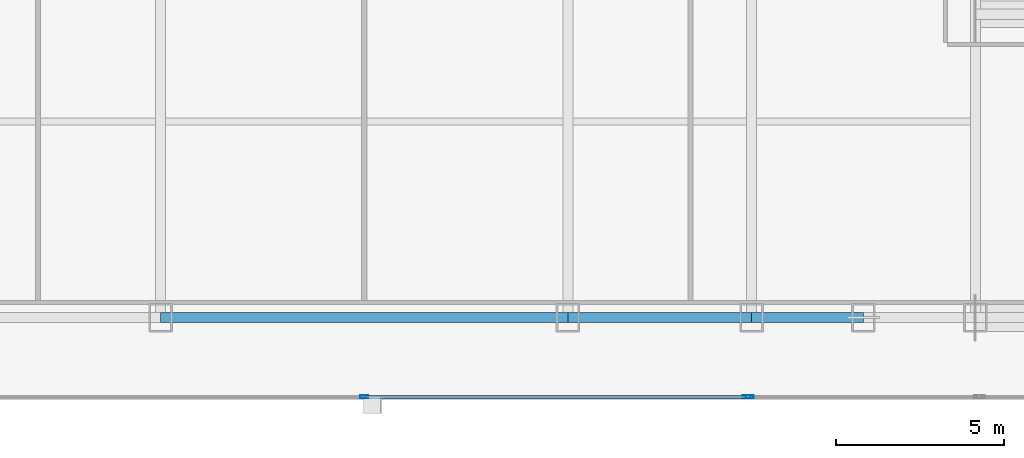
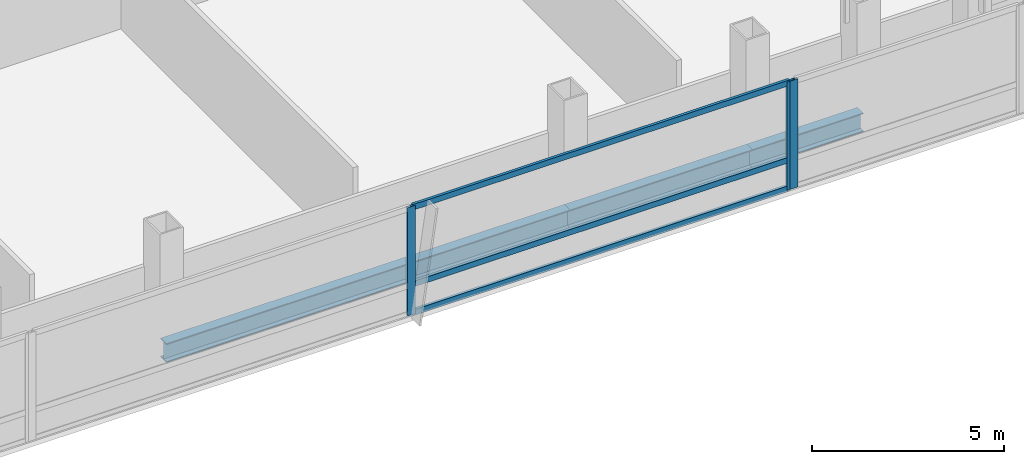
# One storey, part 12 of 30: 6 members, 3 beams, 2 elements without a shape of their own.
"""IFC4 building model written with IfcOpenShell, lengths in metres."""

from ifc_helpers import new_model, si_unit, direction, frame, origin, origin_2d, place, context, subcontext, project, spatial, hollow_rectangle, i_section, extrude, material, material_profile, profile_set, type_object, element, aggregate, save


model = new_model("IFC4")

# Units and contexts
model_context = context("Model", 3, precision=1e-05, world=origin(), true_north=direction((0.0, 1.0)))
body_context = subcontext(model_context, "Body", "Model", "MODEL_VIEW")
ifc_project = project(units=[si_unit("LENGTHUNIT", "METRE"), si_unit("AREAUNIT", "SQUARE_METRE"), si_unit("VOLUMEUNIT", "CUBIC_METRE"), si_unit("PLANEANGLEUNIT", "RADIAN"), si_unit("MASSUNIT", "GRAM", prefix="KILO")], contexts=[model_context])

# Site, building, storey
site_placement = place(None, origin())
site = spatial("IfcSite", under=ifc_project, at=site_placement, CompositionType="ELEMENT")
building_placement = place(site_placement, origin())
building = spatial("IfcBuilding", under=site, at=building_placement, Name="Khoronbel Lancet Exchange", CompositionType="ELEMENT")
storey_placement = place(building_placement, frame((0.0, 0.0, 132.60009765625)))
storey = spatial("IfcBuildingStorey", under=building, at=storey_placement, Name="L32", CompositionType="ELEMENT", Elevation=132.60009765625)

# Beams
ifc_material_1 = material(Name="Steel S355", Category="steel")
ifc_material_profile_1 = material_profile(ifc_material_1, i_section(OverallWidth=0.300048828125, OverallDepth=0.60009765625, WebThickness=0.015380859375, FlangeThickness=0.030029296875, at=origin_2d()), Name="HEB 600")
ifc_profile_set_1 = profile_set([ifc_material_profile_1], Name="Steel S355")
beam_type = type_object("IfcBeamType", Name="BM-BSP2", PredefinedType="SPANDREL", material=ifc_profile_set_1)
beam_1_placement = place(storey_placement, frame((30.375, 10.14990234375, -0.460205078125), z_axis=(1.0, 0.0, 0.0), x_axis=(0.0, 1.0, 0.0)))
element("IfcBeam", 1, at=beam_1_placement, inside=storey, type_object=beam_type, Name="Level L32 perimeter spandrel beam SP05", PredefinedType="SPANDREL", context=body_context, shape_type="SweptSolid", body=[
    extrude(i_section(OverallWidth=0.300048828125, OverallDepth=0.60009765625, WebThickness=0.015380859375, FlangeThickness=0.030029296875, at=origin_2d()), origin(), (0.0, 0.0, 1.0), 12.14990234375),
])
beam_2_placement = place(storey_placement, frame((42.52490234375, 10.14990234375, -0.460205078125), z_axis=(1.0, 0.0, 0.0), x_axis=(0.0, 1.0, 0.0)))
element("IfcBeam", 2, at=beam_2_placement, inside=storey, type_object=beam_type, Name="Level L32 perimeter spandrel beam SP06", PredefinedType="SPANDREL", context=body_context, shape_type="SweptSolid", body=[
    extrude(i_section(OverallWidth=0.300048828125, OverallDepth=0.60009765625, WebThickness=0.015380859375, FlangeThickness=0.030029296875, at=origin_2d()), origin(), (0.0, 0.0, 1.0), 5.47509765625),
])
beam_3_placement = place(storey_placement, frame((48.0, 10.14990234375, -0.460205078125), z_axis=(1.0, 0.0, 0.0), x_axis=(0.0, 1.0, 0.0)))
element("IfcBeam", 3, at=beam_3_placement, inside=storey, type_object=beam_type, Name="Level L32 perimeter spandrel beam SP07", PredefinedType="SPANDREL", context=body_context, shape_type="SweptSolid", body=[
    extrude(i_section(OverallWidth=0.300048828125, OverallDepth=0.60009765625, WebThickness=0.015380859375, FlangeThickness=0.030029296875, at=origin_2d()), origin(), (0.0, 0.0, 1.0), 3.33740234375),
])

# Curtain wall, members
ifc_material_2 = material(Name="Low-E Solar Control Insulating Glass", Category="glass")
curtain_wall_type = type_object("IfcCurtainWallType", Name="CW-2", PredefinedType="NOTDEFINED", material=ifc_material_2)
curtain_wall_1_placement = place(storey_placement, origin())
curtain_wall_1 = element("IfcCurtainWall", 4, at=curtain_wall_1_placement, inside=storey, type_object=curtain_wall_type, Name="Unitised curtain wall CW-L32-SCV", PredefinedType="NOTDEFINED")
ifc_material_3 = material(Name="Bronze-Anodised Aluminium 6063-T6", Category="aluminium")
ifc_material_profile_2 = material_profile(ifc_material_3, hollow_rectangle(XDim=0.0849609375, YDim=0.239990234375, WallThickness=0.006103515625, at=origin_2d()), Name="ALU MULLION 85x240")
ifc_profile_set_2 = profile_set([ifc_material_profile_2], Name="Bronze-Anodised Aluminium 6063-T6")
member_type_1 = type_object("IfcMemberType", Name="MEM-CWM1", PredefinedType="MULLION", material=ifc_profile_set_2)
member_1_placement = place(storey_placement, frame((36.449951171875, 7.7900390625, 0.0), z_axis=(0.0, 0.0, 1.0), x_axis=(0.0, 1.0, 0.0)))
member_1 = element("IfcMember", 5, at=member_1_placement, type_object=member_type_1, Name="CW2 mullion 2", PredefinedType="MULLION", context=body_context, shape_type="SweptSolid", body=[
    extrude(hollow_rectangle(XDim=0.0849609375, YDim=0.239990234375, WallThickness=0.006103515625, at=origin_2d()), origin(), (0.0, 0.0, 1.0), 3.43994140625),
])
member_2_placement = place(storey_placement, frame((47.857421875, 7.7900390625, 0.0), z_axis=(0.0, 0.0, 1.0), x_axis=(0.0, 1.0, 0.0)))
member_2 = element("IfcMember", 6, at=member_2_placement, type_object=member_type_1, Name="CW2 mullion 3", PredefinedType="MULLION", context=body_context, shape_type="SweptSolid", body=[
    extrude(hollow_rectangle(XDim=0.0849609375, YDim=0.239990234375, WallThickness=0.006103515625, at=origin_2d()), origin(), (0.0, 0.0, 1.0), 3.43994140625),
])

# Curtain wall, member
curtain_wall_2_placement = place(storey_placement, origin())
curtain_wall_2 = element("IfcCurtainWall", 7, at=curtain_wall_2_placement, inside=storey, type_object=curtain_wall_type, Name="Unitised curtain wall CW-L32-SEB", PredefinedType="NOTDEFINED")
member_3_placement = place(storey_placement, frame((47.9423828125, 7.7900390625, 0.0), z_axis=(0.0, 0.0, 1.0), x_axis=(0.0, 1.0, 0.0)))
member_3 = element("IfcMember", 8, at=member_3_placement, type_object=member_type_1, Name="CW2 mullion 1", PredefinedType="MULLION", context=body_context, shape_type="SweptSolid", body=[
    extrude(hollow_rectangle(XDim=0.0849609375, YDim=0.239990234375, WallThickness=0.006103515625, at=origin_2d()), origin(), (0.0, 0.0, 1.0), 3.43994140625),
])
aggregate(curtain_wall_2, [member_3])

# Member
ifc_material_profile_3 = material_profile(ifc_material_3, hollow_rectangle(XDim=0.0849609375, YDim=0.179931640625, WallThickness=0.0048828125, at=origin_2d()), Name="ALU TRANSOM 85x180")
ifc_profile_set_3 = profile_set([ifc_material_profile_3], Name="Bronze-Anodised Aluminium 6063-T6")
member_type_2 = type_object("IfcMemberType", Name="MEM-CWT1", PredefinedType="USERDEFINED", material=ifc_profile_set_3)
member_4_placement = place(storey_placement, frame((36.492431640625, 7.7900390625, 0.04248046875), z_axis=(1.0, 0.0, 0.0), x_axis=(0.0, 1.0, 0.0)))
member_4 = element("IfcMember", 9, at=member_4_placement, type_object=member_type_2, Name="CW2 transom 2.1", ObjectType="TRANSOM", PredefinedType="USERDEFINED", context=body_context, shape_type="SweptSolid", body=[
    extrude(hollow_rectangle(XDim=0.0849609375, YDim=0.179931640625, WallThickness=0.0048828125, at=origin_2d()), origin(), (0.0, 0.0, 1.0), 11.322509765625),
])

member_5_placement = place(storey_placement, frame((36.492431640625, 7.7900390625, 0.949951171875), z_axis=(1.0, 0.0, 0.0), x_axis=(0.0, 1.0, 0.0)))
member_5 = element("IfcMember", 10, at=member_5_placement, type_object=member_type_2, Name="CW2 transom 2.2", ObjectType="TRANSOM", PredefinedType="USERDEFINED", context=body_context, shape_type="SweptSolid", body=[
    extrude(hollow_rectangle(XDim=0.0849609375, YDim=0.179931640625, WallThickness=0.0048828125, at=origin_2d()), origin(), (0.0, 0.0, 1.0), 11.322509765625),
])

member_6_placement = place(storey_placement, frame((36.492431640625, 7.7900390625, 3.3974609375), z_axis=(1.0, 0.0, 0.0), x_axis=(0.0, 1.0, 0.0)))
member_6 = element("IfcMember", 11, at=member_6_placement, type_object=member_type_2, Name="CW2 transom 2.3", ObjectType="TRANSOM", PredefinedType="USERDEFINED", context=body_context, shape_type="SweptSolid", body=[
    extrude(hollow_rectangle(XDim=0.0849609375, YDim=0.179931640625, WallThickness=0.0048828125, at=origin_2d()), origin(), (0.0, 0.0, 1.0), 11.322509765625),
])

aggregate(curtain_wall_1, [member_1, member_2, member_4, member_5, member_6])

save(model, "model.ifc")
